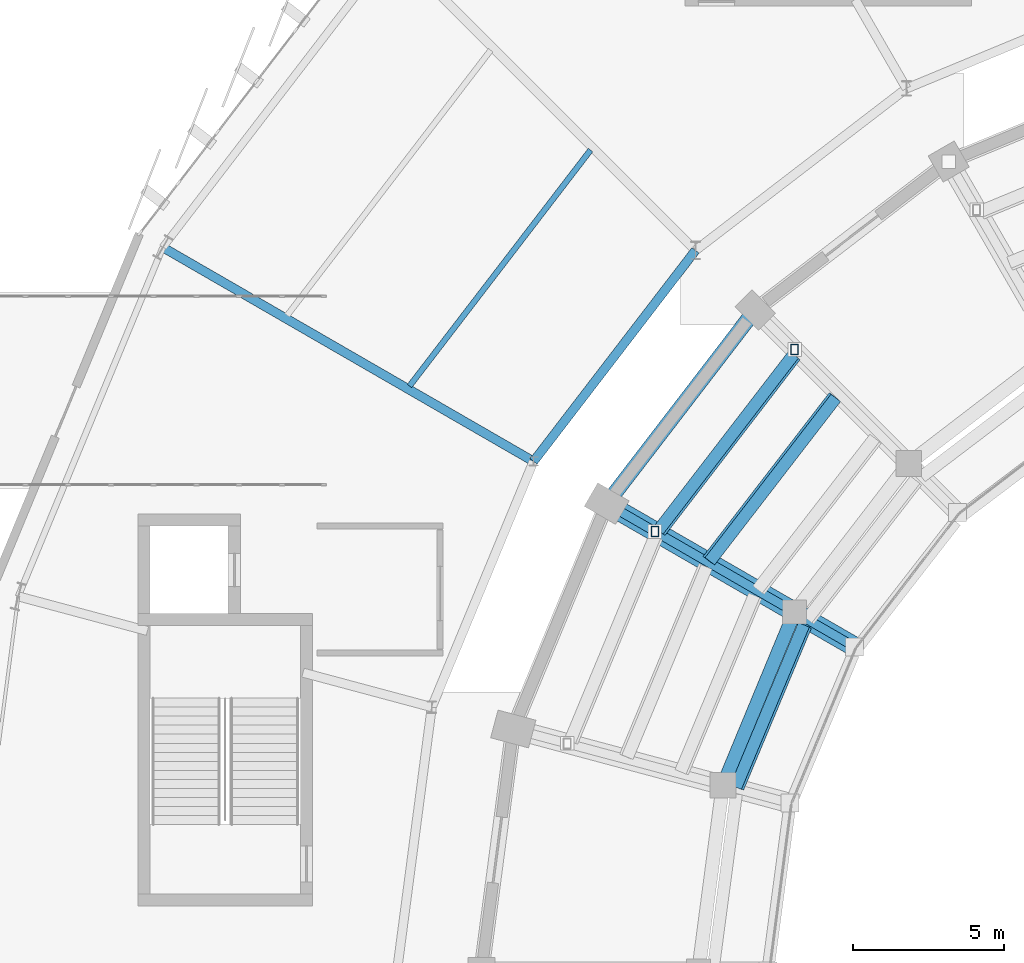
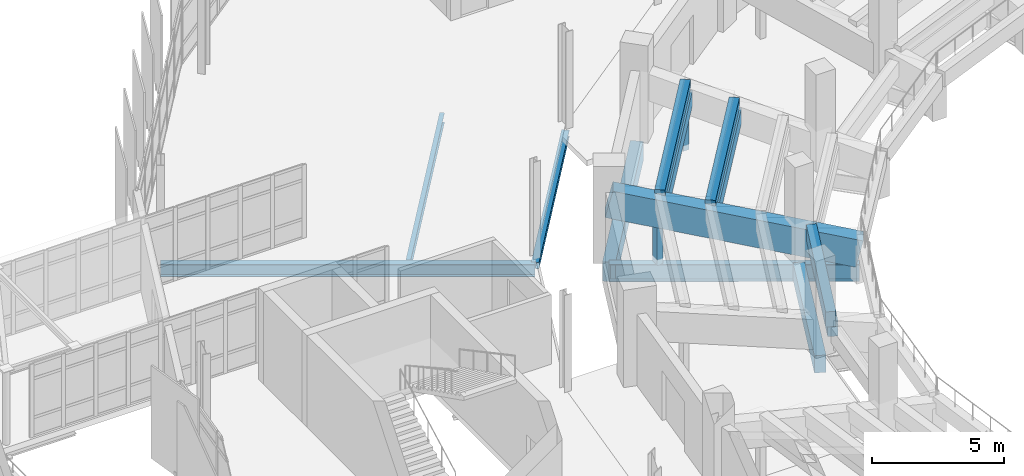
# One storey, part 45 of 120: 13 beams, 2 members.
"""IFC4 building model written with IfcOpenShell, lengths in metres."""

import ifcopenshell
import ifcopenshell.guid

model = None  # the IFC model being written
_history = None  # IfcOwnerHistory: only IFC2X3 demands one
_inside = {}  # id of a spatial element -> (the spatial element, [elements in it])
_under = {}  # id of a project, library or spatial element -> (it, [spatial elements below it])
_declared = {}  # id of a project -> (the project, [libraries it declares])
_typed = {}  # id of a type object -> (the type object, [elements of that type])
_made_of = {}  # id of a material, layer set ... -> (it, [elements and type objects made of it])


def new_model(schema):
    """Start an empty IFC model of exactly this schema.

    Asked for "IFC4X3", IfcOpenShell would pick the latest addendum, in which some entities
    have other attributes; the version numbers below select the first issue.
    IFC2X3 requires an IfcOwnerHistory on every rooted entity: one is made here for all.
    """
    global model, _history
    if schema == "IFC4X3":
        model = ifcopenshell.file(schema_version=(4, 3, 0, 0))
    else:
        model = ifcopenshell.file(schema=schema)
    _inside.clear()
    _under.clear()
    _declared.clear()
    _typed.clear()
    _made_of.clear()
    _history = None
    if model.schema == "IFC2X3":
        org = make("IfcOrganization", Name="unknown")
        user = make(
            "IfcPersonAndOrganization",
            ThePerson=make("IfcPerson", FamilyName="unknown"),
            TheOrganization=org,
        )
        app = make(
            "IfcApplication",
            ApplicationDeveloper=org,
            Version="unknown",
            ApplicationFullName="unknown",
            ApplicationIdentifier="unknown",
        )
        _history = make(
            "IfcOwnerHistory",
            OwningUser=user,
            OwningApplication=app,
            ChangeAction="ADDED",
            CreationDate=0,
        )
    return model


def make(cls, **values):
    """One entity of the class cls with the attributes given. An attribute that is None is left unset."""
    return model.create_entity(
        cls, **{name: value for name, value in values.items() if value is not None}
    )


def rooted(cls, **values):
    """An entity with a GlobalId (a new one), such as an element, a storey or a relation."""
    return make(cls, GlobalId=ifcopenshell.guid.new(), OwnerHistory=_history, **values)


def si_unit(unit_type, name, prefix=None):
    """IfcSIUnit, for example si_unit("LENGTHUNIT", "METRE", prefix="MILLI")."""
    return make("IfcSIUnit", UnitType=unit_type, Prefix=prefix, Name=name)


def assignment(units):
    """IfcUnitAssignment: the units of a project."""
    return None if units is None else make("IfcUnitAssignment", Units=units)


def point(xyz):
    """IfcCartesianPoint."""
    return None if xyz is None else make("IfcCartesianPoint", Coordinates=xyz)


def direction(xyz):
    """IfcDirection."""
    return None if xyz is None else make("IfcDirection", DirectionRatios=xyz)


def frame(location, z_axis=None, x_axis=None):
    """IfcAxis2Placement3D, a coordinate frame: its origin and axes. An axis left out is left unset."""
    return make(
        "IfcAxis2Placement3D",
        Location=point(location),
        Axis=direction(z_axis),
        RefDirection=direction(x_axis),
    )


def frame_2d(location, x_axis=None):
    """IfcAxis2Placement2D, a coordinate frame in the plane: its origin and x axis."""
    return make(
        "IfcAxis2Placement2D", Location=point(location), RefDirection=direction(x_axis)
    )


def origin():
    """The frame at (0, 0, 0) with its axes left unset."""
    return frame((0.0, 0.0, 0.0))


def origin_2d():
    """The frame at (0, 0) in the plane with its x axis left unset."""
    return frame_2d((0.0, 0.0))


def place(relative_to, where):
    """IfcLocalPlacement: puts the frame where relative to a parent placement (None: the world)."""
    return make(
        "IfcLocalPlacement", PlacementRelTo=relative_to, RelativePlacement=where
    )


def context(
    kind, dimensions, precision=None, world=None, true_north=None, identifier=None
):
    """IfcGeometricRepresentationContext, for example the 3D "Model" context."""
    return make(
        "IfcGeometricRepresentationContext",
        ContextIdentifier=identifier,
        ContextType=kind,
        CoordinateSpaceDimension=dimensions,
        Precision=precision,
        WorldCoordinateSystem=world,
        TrueNorth=true_north,
    )


def subcontext(parent, identifier, kind, view, scale=None):
    """IfcGeometricRepresentationSubContext, for example "Body" below "Model"."""
    return make(
        "IfcGeometricRepresentationSubContext",
        ContextIdentifier=identifier,
        ContextType=kind,
        ParentContext=parent,
        TargetScale=scale,
        TargetView=view,
    )


def project(units=None, contexts=None):
    """IfcProject with its units and contexts."""
    return rooted(
        "IfcProject",
        Name="project",
        RepresentationContexts=contexts,
        UnitsInContext=assignment(units),
    )


def spatial(cls, under=None, at=None, **own):
    """A site, building, storey or space (cls), placed at a placement, below another one or the project."""
    s = rooted(cls, ObjectPlacement=at, **own)
    if under is not None:
        _under.setdefault(under.id(), (under, []))[1].append(s)
    return s


def profile(cls, at=None, kind="AREA", **sizes):
    """A parametric profile (cls). Its sizes go by their IFC names, for example OverallWidth=200.0."""
    return make(cls, ProfileType=kind, Position=at, **sizes)


def rectangle(**sizes):
    """IfcRectangleProfileDef."""
    return profile("IfcRectangleProfileDef", **sizes)


def hollow_rectangle(**sizes):
    """IfcRectangleHollowProfileDef."""
    return profile("IfcRectangleHollowProfileDef", **sizes)


def i_section(**sizes):
    """IfcIShapeProfileDef."""
    return profile("IfcIShapeProfileDef", **sizes)


def extrude(swept, where, along, depth):
    """IfcExtrudedAreaSolid: the profile swept, set in the frame where, extruded along a direction by depth."""
    return make(
        "IfcExtrudedAreaSolid",
        SweptArea=swept,
        Position=where,
        ExtrudedDirection=direction(along),
        Depth=depth,
    )


def shape(context_of_items, identifier, shape_type, items):
    """IfcShapeRepresentation: the items that make up one representation, for example the "Body"."""
    return make(
        "IfcShapeRepresentation",
        ContextOfItems=context_of_items,
        RepresentationIdentifier=identifier,
        RepresentationType=shape_type,
        Items=items,
    )


def material(Name=None, Category=None):
    """IfcMaterial."""
    return make("IfcMaterial", Name=Name, Category=Category)


def material_profile(
    of_material, cross_section, Name=None, Category=None, Priority=None
):
    """IfcMaterialProfile: a cross section and its material."""
    return make(
        "IfcMaterialProfile",
        Name=Name,
        Material=of_material,
        Profile=cross_section,
        Priority=Priority,
        Category=Category,
    )


def profile_set(profiles, Name=None, composite=None):
    """IfcMaterialProfileSet."""
    return make(
        "IfcMaterialProfileSet",
        Name=Name,
        MaterialProfiles=profiles,
        CompositeProfile=composite,
    )


def made_of(thing, what):
    """Note that an element or type object is made of a material, layer set ...; save() writes the relation."""
    if what is not None:
        _made_of.setdefault(what.id(), (what, []))[1].append(thing)
    return thing


def type_object(cls, material=None, **own):
    """A type object (cls), such as IfcWallType, which elements share."""
    return made_of(rooted(cls, **own), material)


def element(
    cls,
    number,
    at=None,
    inside=None,
    cuts=None,
    type_object=None,
    material=None,
    context=None,
    identifier="Body",
    shape_type=None,
    held_by="IfcProductDefinitionShape",
    body=None,
    shapes=None,
    **own,
):
    """One element of the class cls, such as IfcWall. Its Tag is "e" and its number.

    at: its placement. inside: the storey or other place that contains it. cuts: it is an
    opening in that element (IfcRelVoidsElement). A single representation is given by context,
    identifier, shape_type and body (its items); several are given by shapes. held_by: the class
    of the entity that holds the representations. save() writes the other relations.
    """
    e = rooted(cls, Tag="e%d" % number, ObjectPlacement=at, **own)
    if body is not None:
        shapes = [shape(context, identifier, shape_type, body)]
    if shapes is not None:
        e.Representation = make(held_by, Representations=shapes)
    if inside is not None:
        _inside.setdefault(inside.id(), (inside, []))[1].append(e)
    if cuts is not None:
        rooted(
            "IfcRelVoidsElement", RelatingBuildingElement=cuts, RelatedOpeningElement=e
        )
    if type_object is not None:
        _typed.setdefault(type_object.id(), (type_object, []))[1].append(e)
    return made_of(e, material)


def aggregate(whole, parts):
    """IfcRelAggregates: a whole, such as a stair, and the parts it consists of."""
    return rooted("IfcRelAggregates", RelatingObject=whole, RelatedObjects=parts)


def save(model, path):
    """Write the relations noted so far, then the file.

    IfcRelAggregates (storeys below a building ...), IfcRelContainedInSpatialStructure (elements
    in a storey), IfcRelDefinesByType, IfcRelAssociatesMaterial and IfcRelDeclares: one each for
    every whole, place, type object, material and project.
    """
    for whole, parts in _under.values():
        aggregate(whole, parts)
    for where, things in _inside.values():
        rooted(
            "IfcRelContainedInSpatialStructure",
            RelatedElements=things,
            RelatingStructure=where,
        )
    for kind, things in _typed.values():
        rooted("IfcRelDefinesByType", RelatedObjects=things, RelatingType=kind)
    for what, things in _made_of.values():
        rooted("IfcRelAssociatesMaterial", RelatedObjects=things, RelatingMaterial=what)
    for by, libraries in _declared.values():
        rooted("IfcRelDeclares", RelatingContext=by, RelatedDefinitions=libraries)
    model.write(path)


model = new_model("IFC4")

# Units and contexts
model_context = context("Model", 3, precision=1e-05, world=origin(), true_north=direction((0.0, 1.0)))
body_context = subcontext(model_context, "Body", "Model", "MODEL_VIEW")
ifc_project = project(units=[si_unit("LENGTHUNIT", "METRE"), si_unit("AREAUNIT", "SQUARE_METRE"), si_unit("VOLUMEUNIT", "CUBIC_METRE"), si_unit("PLANEANGLEUNIT", "RADIAN"), si_unit("MASSUNIT", "GRAM", prefix="KILO")], contexts=[model_context])

# Site, building, storey
site_placement = place(None, origin())
site = spatial("IfcSite", under=ifc_project, at=site_placement, CompositionType="ELEMENT")
building_placement = place(site_placement, origin())
building = spatial("IfcBuilding", under=site, at=building_placement, Name="Sohan Crest Arena", CompositionType="ELEMENT")
storey_placement = place(building_placement, frame((0.0, 0.0, 13.5)))
storey = spatial("IfcBuildingStorey", under=building, at=storey_placement, Name="L03", CompositionType="ELEMENT", Elevation=13.5)

# Beams
ifc_material_1 = material(Name="Steel S355", Category="steel")
ifc_material_profile_1 = material_profile(ifc_material_1, i_section(OverallWidth=0.18994140625, OverallDepth=0.449951171875, WebThickness=0.009521484375, FlangeThickness=0.0146484375, at=origin_2d()), Name="IPE 450")
ifc_profile_set_1 = profile_set([ifc_material_profile_1], Name="Steel S355")
beam_type_1 = type_object("IfcBeamType", Name="STR-BM-B04", PredefinedType="JOIST", material=ifc_profile_set_1)
beam_1_placement = place(storey_placement, frame((70.618896484375, 105.22705078125, -0.47509765625), z_axis=(-0.608739091659, -0.793370479843, 0.0), x_axis=(0.793370479843, -0.608739091659, 0.0)))
element("IfcBeam", 1, at=beam_1_placement, inside=storey, type_object=beam_type_1, Name="Structural beam J-L03-1414", PredefinedType="JOIST", context=body_context, shape_type="SweptSolid", body=[
    extrude(i_section(OverallWidth=0.18994140625, OverallDepth=0.449951171875, WebThickness=0.009521484375, FlangeThickness=0.0146484375, at=origin_2d()), origin(), (0.0, 0.0, 1.0), 9.864501953125),
])
ifc_material_profile_2 = material_profile(ifc_material_1, i_section(OverallWidth=0.300048828125, OverallDepth=0.590087890625, WebThickness=0.012939453125, FlangeThickness=0.02490234375, at=origin_2d()), Name="HEA 600")
ifc_profile_set_2 = profile_set([ifc_material_profile_2], Name="Steel S355")
beam_type_2 = type_object("IfcBeamType", Name="STR-BM-B11", PredefinedType="BEAM", material=ifc_profile_set_2)
beam_2_placement = place(storey_placement, frame((68.72802734375, 94.89990234375, -0.544921875), z_axis=(-0.86601465089, 0.500018624098, 0.0), x_axis=(-0.500018624098, -0.86601465089, 0.0)))
element("IfcBeam", 2, at=beam_2_placement, inside=storey, type_object=beam_type_2, Name="Structural beam G-L03-1416", PredefinedType="BEAM", context=body_context, shape_type="SweptSolid", body=[
    extrude(i_section(OverallWidth=0.300048828125, OverallDepth=0.590087890625, WebThickness=0.012939453125, FlangeThickness=0.02490234375, at=origin_2d()), origin(), (0.0, 0.0, 1.0), 14.19970703125),
])
ifc_material_profile_3 = material_profile(ifc_material_1, i_section(OverallWidth=0.300048828125, OverallDepth=0.300048828125, WebThickness=0.010986328125, FlangeThickness=0.01904296875, at=origin_2d()), Name="HEB 300")
ifc_profile_set_3 = profile_set([ifc_material_profile_3], Name="Steel S355")
beam_type_3 = type_object("IfcBeamType", Name="STR-BM-B12", PredefinedType="BEAM", material=ifc_profile_set_3)
beam_3_placement = place(storey_placement, frame((74.10009765625, 101.89990234375, -0.39990234375), z_axis=(-0.608817165336, -0.793310569192, 0.0), x_axis=(0.793310569192, -0.608817165336, 0.0)))
element("IfcBeam", 3, at=beam_3_placement, inside=storey, type_object=beam_type_3, Name="Structural beam G-L03-1412", PredefinedType="BEAM", context=body_context, shape_type="SweptSolid", body=[
    extrude(i_section(OverallWidth=0.300048828125, OverallDepth=0.300048828125, WebThickness=0.010986328125, FlangeThickness=0.01904296875, at=origin_2d()), origin(), (0.0, 0.0, 1.0), 8.82373046875),
])
ifc_material_profile_4 = material_profile(ifc_material_1, i_section(OverallWidth=0.300048828125, OverallDepth=0.800048828125, WebThickness=0.017578125, FlangeThickness=0.032958984375, at=origin_2d()), Name="HEB 800")
ifc_profile_set_4 = profile_set([ifc_material_profile_4], Name="Steel S355")
beam_type_4 = type_object("IfcBeamType", Name="STR-BM-B17", PredefinedType="BEAM", material=ifc_profile_set_4)
beam_4_placement = place(storey_placement, frame((71.153076171875, 93.5, -0.64990234375), z_axis=(0.866046085977, -0.49996417568, 0.0), x_axis=(0.49996417568, 0.866046085977, 0.0)))
element("IfcBeam", 4, at=beam_4_placement, inside=storey, type_object=beam_type_4, Name="Structural beam GC-L03-0824", PredefinedType="BEAM", context=body_context, shape_type="SweptSolid", body=[
    extrude(i_section(OverallWidth=0.300048828125, OverallDepth=0.800048828125, WebThickness=0.017578125, FlangeThickness=0.032958984375, at=origin_2d()), origin(), (0.0, 0.0, 1.0), 9.500732421875),
])
ifc_material_2 = material(Name="Precast concrete C50/60", Category="concrete")
ifc_material_profile_5 = material_profile(ifc_material_2, rectangle(XDim=0.64990234375, YDim=1.25, at=origin_2d()), Name="RAKER 650x1250")
ifc_profile_set_5 = profile_set([ifc_material_profile_5], Name="Precast concrete C50/60")
beam_type_5 = type_object("IfcBeamType", Name="STR-BM-RK05", PredefinedType="USERDEFINED", material=ifc_profile_set_5)
beam_5_placement = place(storey_placement, frame((79.381103515625, 88.75, 0.35009765625), z_axis=(-0.841735714693, 0.485929917069, 0.235272400226), x_axis=(-0.49996417568, -0.866046085977, 0.0)))
element("IfcBeam", 5, at=beam_5_placement, inside=storey, type_object=beam_type_5, Name="Structural beam RKU-L03-0825", ObjectType="RAKER", PredefinedType="USERDEFINED", context=body_context, shape_type="SweptSolid", body=[
    extrude(rectangle(XDim=0.64990234375, YDim=1.25, at=origin_2d()), origin(), (0.0, 0.0, 1.0), 9.775146484375),
])
ifc_material_3 = material(Name="Concrete C40/50", Category="concrete")
ifc_material_profile_6 = material_profile(ifc_material_3, rectangle(XDim=0.39990234375, YDim=0.699951171875, at=origin_2d()), Name="RC-BM 400x700")
ifc_profile_set_6 = profile_set([ifc_material_profile_6], Name="Concrete C40/50")
beam_type_6 = type_object("IfcBeamType", Name="STR-BM-TB01", PredefinedType="BEAM", material=ifc_profile_set_6)
beam_6_placement = place(storey_placement, frame((78.75390625, 97.006103515625, 1.77587890625), z_axis=(-0.610550297816, -0.791977483163, 0.0), x_axis=(0.791977483163, -0.610550297816, 0.0)))
element("IfcBeam", 6, at=beam_6_placement, inside=storey, type_object=beam_type_6, Name="Upper tier rear stringer TSB-U032B", PredefinedType="BEAM", context=body_context, shape_type="SweptSolid", body=[
    extrude(rectangle(XDim=0.39990234375, YDim=0.699951171875, at=origin_2d()), origin(), (0.0, 0.0, 1.0), 6.84130859375),
])
beam_7_placement = place(storey_placement, frame((78.699951171875, 97.06103515625, 2.236083984375), z_axis=(-0.610525530371, -0.791996576233, 0.0), x_axis=(0.791996576233, -0.610525530371, 0.0)))
element("IfcBeam", 7, at=beam_7_placement, inside=storey, type_object=beam_type_6, Name="Upper tier front stringer TSB-U033A", PredefinedType="BEAM", context=body_context, shape_type="SweptSolid", body=[
    extrude(rectangle(XDim=0.39990234375, YDim=0.699951171875, at=origin_2d()), origin(), (0.0, 0.0, 1.0), 6.861328125),
])
beam_8_placement = place(storey_placement, frame((77.409912109375, 98.39208984375, 2.236083984375), z_axis=(-0.60962725152, -0.792688220049, 0.0), x_axis=(0.792688220049, -0.60962725152, 0.0)))
element("IfcBeam", 8, at=beam_8_placement, inside=storey, type_object=beam_type_6, Name="Upper tier rear stringer TSB-U033B", PredefinedType="BEAM", context=body_context, shape_type="SweptSolid", body=[
    extrude(rectangle(XDim=0.39990234375, YDim=0.699951171875, at=origin_2d()), origin(), (0.0, 0.0, 1.0), 7.34716796875),
])
beam_9_placement = place(storey_placement, frame((77.35595703125, 98.447021484375, 2.696044921875), z_axis=(-0.609507332607, -0.792780430824, 0.0), x_axis=(0.792780430824, -0.609507332607, 0.0)))
element("IfcBeam", 9, at=beam_9_placement, inside=storey, type_object=beam_type_6, Name="Upper tier front stringer TSB-U034A", PredefinedType="BEAM", context=body_context, shape_type="SweptSolid", body=[
    extrude(rectangle(XDim=0.39990234375, YDim=0.699951171875, at=origin_2d()), origin(), (0.0, 0.0, 1.0), 7.36669921875),
])
beam_10_placement = place(storey_placement, frame((77.759033203125, 89.43994140625, 0.85595703125), z_axis=(-0.386179619487, -0.922423601982, 0.0), x_axis=(0.922423601982, -0.386179619487, 0.0)))
element("IfcBeam", 10, at=beam_10_placement, inside=storey, type_object=beam_type_6, Name="Upper tier rear stringer TSB-U040B", PredefinedType="BEAM", context=body_context, shape_type="SweptSolid", body=[
    extrude(rectangle(XDim=0.39990234375, YDim=0.699951171875, at=origin_2d()), origin(), (0.0, 0.0, 1.0), 5.816162109375),
])
beam_11_placement = place(storey_placement, frame((77.693115234375, 89.47900390625, 1.31591796875), z_axis=(-0.386191887484, -0.922418465796, 0.0), x_axis=(0.922418465796, -0.386191887484, 0.0)))
element("IfcBeam", 11, at=beam_11_placement, inside=storey, type_object=beam_type_6, Name="Upper tier front stringer TSB-U041A", PredefinedType="BEAM", context=body_context, shape_type="SweptSolid", body=[
    extrude(rectangle(XDim=0.39990234375, YDim=0.699951171875, at=origin_2d()), origin(), (0.0, 0.0, 1.0), 5.8369140625),
])
ifc_material_profile_7 = material_profile(ifc_material_3, rectangle(XDim=0.449951171875, YDim=0.800048828125, at=origin_2d()), Name="RC-BM 450x800")
ifc_profile_set_7 = profile_set([ifc_material_profile_7], Name="Concrete C40/50")
beam_type_7 = type_object("IfcBeamType", Name="STR-BM-TB02", PredefinedType="BEAM", material=ifc_profile_set_7)
beam_12_placement = place(storey_placement, frame((77.388916015625, 89.89990234375, -0.64990234375), z_axis=(-0.382731224457, -0.92385973493, 0.0), x_axis=(0.92385973493, -0.382731224457, 0.0)))
element("IfcBeam", 12, at=beam_12_placement, inside=storey, type_object=beam_type_7, Name="Structural beam TB-L03-0162", PredefinedType="BEAM", context=body_context, shape_type="SweptSolid", body=[
    extrude(rectangle(XDim=0.449951171875, YDim=0.800048828125, at=origin_2d()), origin(), (0.0, 0.0, 1.0), 6.213134765625),
])
ifc_material_profile_8 = material_profile(ifc_material_3, rectangle(XDim=0.5, YDim=0.89990234375, at=origin_2d()), Name="RC-BM 500x900")
ifc_profile_set_8 = profile_set([ifc_material_profile_8], Name="Concrete C40/50")
beam_type_8 = type_object("IfcBeamType", Name="STR-BM-TB03", PredefinedType="BEAM", material=ifc_profile_set_8)
beam_13_placement = place(storey_placement, frame((76.080078125, 99.919921875, -0.699951171875), z_axis=(-0.608825408167, -0.793304243257, 0.0), x_axis=(0.793304243257, -0.608825408167, 0.0)))
element("IfcBeam", 13, at=beam_13_placement, inside=storey, type_object=beam_type_8, Name="Structural beam TB-L03-0141", PredefinedType="BEAM", context=body_context, shape_type="SweptSolid", body=[
    extrude(rectangle(XDim=0.5, YDim=0.89990234375, at=origin_2d()), origin(), (0.0, 0.0, 1.0), 8.092529296875),
])

# Members
ifc_material_profile_9 = material_profile(ifc_material_1, hollow_rectangle(XDim=0.25, YDim=0.35009765625, WallThickness=0.012451171875, at=origin_2d()), Name="RHS 350x250x12.5")
ifc_profile_set_9 = profile_set([ifc_material_profile_9], Name="Steel S355")
member_type = type_object("IfcMemberType", Name="STR-MEM-CH04", PredefinedType="CHORD", material=ifc_profile_set_9)
member_1_placement = place(storey_placement, frame((77.387939453125, 98.612060546875, -0.260009765625), z_axis=(0.0, 0.0, 1.0), x_axis=(1.0, 0.0, 0.0)))
element("IfcMember", 14, at=member_1_placement, inside=storey, type_object=member_type, Name="Upper tier rear raker support post RKP-O04", PredefinedType="CHORD", context=body_context, shape_type="SweptSolid", body=[
    extrude(hollow_rectangle(XDim=0.25, YDim=0.35009765625, WallThickness=0.012451171875, at=origin_2d()), origin(), (0.0, 0.0, 1.0), 2.159912109375),
])
member_2_placement = place(storey_placement, frame((72.7548828125, 92.574951171875, -0.260009765625), z_axis=(0.0, 0.0, 1.0), x_axis=(1.0, 0.0, 0.0)))
element("IfcMember", 15, at=member_2_placement, inside=storey, type_object=member_type, Name="Upper tier rear raker support post RKP-O05", PredefinedType="CHORD", context=body_context, shape_type="SweptSolid", body=[
    extrude(hollow_rectangle(XDim=0.25, YDim=0.35009765625, WallThickness=0.012451171875, at=origin_2d()), origin(), (0.0, 0.0, 1.0), 2.135009765625),
])

save(model, "model.ifc")
